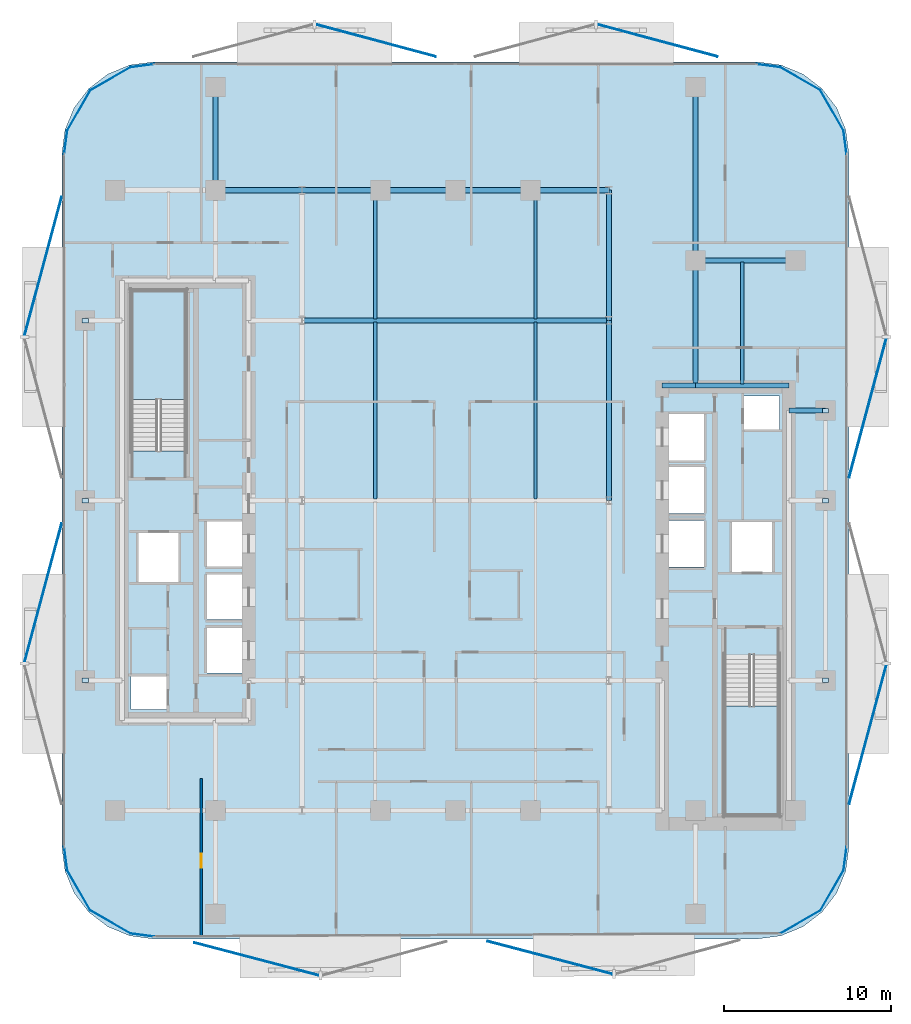
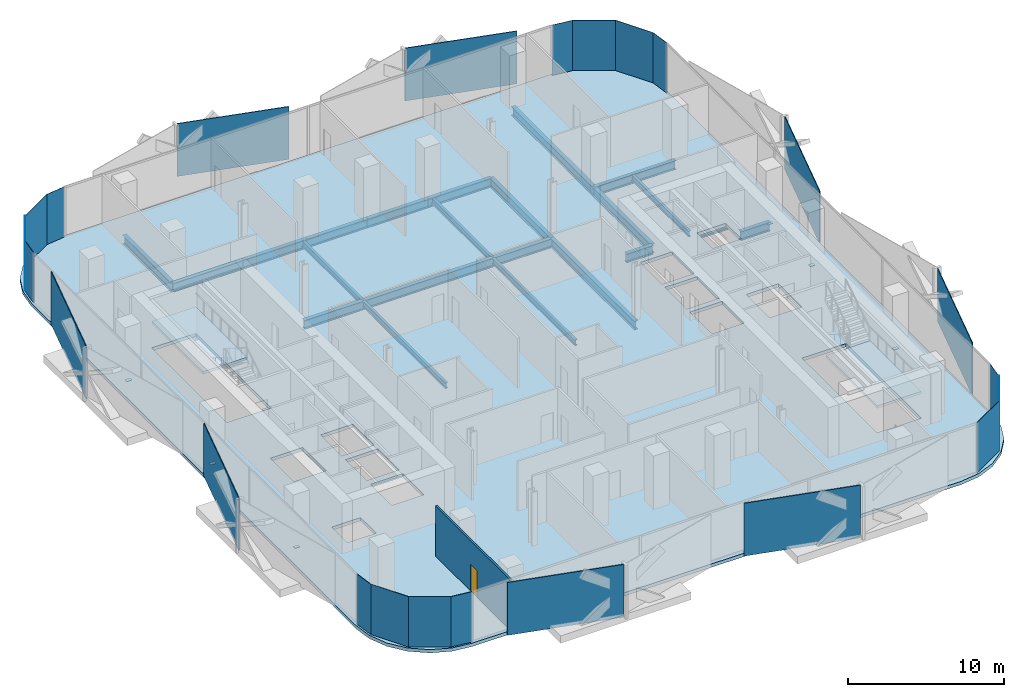
# One storey, part 2 of 15: 29 plates, 20 beams, 3 slabs, 1 door, 1 wall, 1 opening, 2 elements without a shape of their own.
"""IFC4 building model written with IfcOpenShell, lengths in metres."""

import ifcopenshell
import ifcopenshell.guid

model = None  # the IFC model being written
_history = None  # IfcOwnerHistory: only IFC2X3 demands one
_inside = {}  # id of a spatial element -> (the spatial element, [elements in it])
_under = {}  # id of a project, library or spatial element -> (it, [spatial elements below it])
_declared = {}  # id of a project -> (the project, [libraries it declares])
_typed = {}  # id of a type object -> (the type object, [elements of that type])
_made_of = {}  # id of a material, layer set ... -> (it, [elements and type objects made of it])


def new_model(schema):
    """Start an empty IFC model of exactly this schema.

    Asked for "IFC4X3", IfcOpenShell would pick the latest addendum, in which some entities
    have other attributes; the version numbers below select the first issue.
    IFC2X3 requires an IfcOwnerHistory on every rooted entity: one is made here for all.
    """
    global model, _history
    if schema == "IFC4X3":
        model = ifcopenshell.file(schema_version=(4, 3, 0, 0))
    else:
        model = ifcopenshell.file(schema=schema)
    _inside.clear()
    _under.clear()
    _declared.clear()
    _typed.clear()
    _made_of.clear()
    _history = None
    if model.schema == "IFC2X3":
        org = make("IfcOrganization", Name="unknown")
        user = make(
            "IfcPersonAndOrganization",
            ThePerson=make("IfcPerson", FamilyName="unknown"),
            TheOrganization=org,
        )
        app = make(
            "IfcApplication",
            ApplicationDeveloper=org,
            Version="unknown",
            ApplicationFullName="unknown",
            ApplicationIdentifier="unknown",
        )
        _history = make(
            "IfcOwnerHistory",
            OwningUser=user,
            OwningApplication=app,
            ChangeAction="ADDED",
            CreationDate=0,
        )
    return model


def make(cls, **values):
    """One entity of the class cls with the attributes given. An attribute that is None is left unset."""
    return model.create_entity(
        cls, **{name: value for name, value in values.items() if value is not None}
    )


def rooted(cls, **values):
    """An entity with a GlobalId (a new one), such as an element, a storey or a relation."""
    return make(cls, GlobalId=ifcopenshell.guid.new(), OwnerHistory=_history, **values)


def si_unit(unit_type, name, prefix=None):
    """IfcSIUnit, for example si_unit("LENGTHUNIT", "METRE", prefix="MILLI")."""
    return make("IfcSIUnit", UnitType=unit_type, Prefix=prefix, Name=name)


def assignment(units):
    """IfcUnitAssignment: the units of a project."""
    return None if units is None else make("IfcUnitAssignment", Units=units)


def point(xyz):
    """IfcCartesianPoint."""
    return None if xyz is None else make("IfcCartesianPoint", Coordinates=xyz)


def direction(xyz):
    """IfcDirection."""
    return None if xyz is None else make("IfcDirection", DirectionRatios=xyz)


def frame(location, z_axis=None, x_axis=None):
    """IfcAxis2Placement3D, a coordinate frame: its origin and axes. An axis left out is left unset."""
    return make(
        "IfcAxis2Placement3D",
        Location=point(location),
        Axis=direction(z_axis),
        RefDirection=direction(x_axis),
    )


def frame_2d(location, x_axis=None):
    """IfcAxis2Placement2D, a coordinate frame in the plane: its origin and x axis."""
    return make(
        "IfcAxis2Placement2D", Location=point(location), RefDirection=direction(x_axis)
    )


def origin():
    """The frame at (0, 0, 0) with its axes left unset."""
    return frame((0.0, 0.0, 0.0))


def origin_2d():
    """The frame at (0, 0) in the plane with its x axis left unset."""
    return frame_2d((0.0, 0.0))


def place(relative_to, where):
    """IfcLocalPlacement: puts the frame where relative to a parent placement (None: the world)."""
    return make(
        "IfcLocalPlacement", PlacementRelTo=relative_to, RelativePlacement=where
    )


def context(
    kind, dimensions, precision=None, world=None, true_north=None, identifier=None
):
    """IfcGeometricRepresentationContext, for example the 3D "Model" context."""
    return make(
        "IfcGeometricRepresentationContext",
        ContextIdentifier=identifier,
        ContextType=kind,
        CoordinateSpaceDimension=dimensions,
        Precision=precision,
        WorldCoordinateSystem=world,
        TrueNorth=true_north,
    )


def subcontext(parent, identifier, kind, view, scale=None):
    """IfcGeometricRepresentationSubContext, for example "Body" below "Model"."""
    return make(
        "IfcGeometricRepresentationSubContext",
        ContextIdentifier=identifier,
        ContextType=kind,
        ParentContext=parent,
        TargetScale=scale,
        TargetView=view,
    )


def project(units=None, contexts=None):
    """IfcProject with its units and contexts."""
    return rooted(
        "IfcProject",
        Name="project",
        RepresentationContexts=contexts,
        UnitsInContext=assignment(units),
    )


def spatial(cls, under=None, at=None, **own):
    """A site, building, storey or space (cls), placed at a placement, below another one or the project."""
    s = rooted(cls, ObjectPlacement=at, **own)
    if under is not None:
        _under.setdefault(under.id(), (under, []))[1].append(s)
    return s


def polyline(points):
    """IfcPolyline through the points."""
    return make("IfcPolyline", Points=[point(p) for p in points])


def profile(cls, at=None, kind="AREA", **sizes):
    """A parametric profile (cls). Its sizes go by their IFC names, for example OverallWidth=200.0."""
    return make(cls, ProfileType=kind, Position=at, **sizes)


def rectangle(**sizes):
    """IfcRectangleProfileDef."""
    return profile("IfcRectangleProfileDef", **sizes)


def i_section(**sizes):
    """IfcIShapeProfileDef."""
    return profile("IfcIShapeProfileDef", **sizes)


def outline(outer, holes=None, kind="AREA"):
    """IfcArbitraryClosedProfileDef: a profile drawn as a closed curve; with holes, ...WithVoids."""
    if holes is None:
        return make("IfcArbitraryClosedProfileDef", ProfileType=kind, OuterCurve=outer)
    return make(
        "IfcArbitraryProfileDefWithVoids",
        ProfileType=kind,
        OuterCurve=outer,
        InnerCurves=holes,
    )


def extrude(swept, where, along, depth):
    """IfcExtrudedAreaSolid: the profile swept, set in the frame where, extruded along a direction by depth."""
    return make(
        "IfcExtrudedAreaSolid",
        SweptArea=swept,
        Position=where,
        ExtrudedDirection=direction(along),
        Depth=depth,
    )


def shape(context_of_items, identifier, shape_type, items):
    """IfcShapeRepresentation: the items that make up one representation, for example the "Body"."""
    return make(
        "IfcShapeRepresentation",
        ContextOfItems=context_of_items,
        RepresentationIdentifier=identifier,
        RepresentationType=shape_type,
        Items=items,
    )


def material(Name=None, Category=None):
    """IfcMaterial."""
    return make("IfcMaterial", Name=Name, Category=Category)


def layer(
    of_material, thickness, ventilated=None, Name=None, Category=None, Priority=None
):
    """IfcMaterialLayer: one layer of a wall or slab, of a material (None: an air gap)."""
    return make(
        "IfcMaterialLayer",
        Material=of_material,
        LayerThickness=thickness,
        IsVentilated=ventilated,
        Name=Name,
        Category=Category,
        Priority=Priority,
    )


def layer_set(layers, Name=None):
    """IfcMaterialLayerSet."""
    return make("IfcMaterialLayerSet", MaterialLayers=layers, LayerSetName=Name)


def material_profile(
    of_material, cross_section, Name=None, Category=None, Priority=None
):
    """IfcMaterialProfile: a cross section and its material."""
    return make(
        "IfcMaterialProfile",
        Name=Name,
        Material=of_material,
        Profile=cross_section,
        Priority=Priority,
        Category=Category,
    )


def profile_set(profiles, Name=None, composite=None):
    """IfcMaterialProfileSet."""
    return make(
        "IfcMaterialProfileSet",
        Name=Name,
        MaterialProfiles=profiles,
        CompositeProfile=composite,
    )


def made_of(thing, what):
    """Note that an element or type object is made of a material, layer set ...; save() writes the relation."""
    if what is not None:
        _made_of.setdefault(what.id(), (what, []))[1].append(thing)
    return thing


def type_object(cls, material=None, **own):
    """A type object (cls), such as IfcWallType, which elements share."""
    return made_of(rooted(cls, **own), material)


def element(
    cls,
    number,
    at=None,
    inside=None,
    cuts=None,
    type_object=None,
    material=None,
    context=None,
    identifier="Body",
    shape_type=None,
    held_by="IfcProductDefinitionShape",
    body=None,
    shapes=None,
    **own,
):
    """One element of the class cls, such as IfcWall. Its Tag is "e" and its number.

    at: its placement. inside: the storey or other place that contains it. cuts: it is an
    opening in that element (IfcRelVoidsElement). A single representation is given by context,
    identifier, shape_type and body (its items); several are given by shapes. held_by: the class
    of the entity that holds the representations. save() writes the other relations.
    """
    e = rooted(cls, Tag="e%d" % number, ObjectPlacement=at, **own)
    if body is not None:
        shapes = [shape(context, identifier, shape_type, body)]
    if shapes is not None:
        e.Representation = make(held_by, Representations=shapes)
    if inside is not None:
        _inside.setdefault(inside.id(), (inside, []))[1].append(e)
    if cuts is not None:
        rooted(
            "IfcRelVoidsElement", RelatingBuildingElement=cuts, RelatedOpeningElement=e
        )
    if type_object is not None:
        _typed.setdefault(type_object.id(), (type_object, []))[1].append(e)
    return made_of(e, material)


def fill(opening, filler):
    """IfcRelFillsElement: the door or window that sits in an opening."""
    return rooted(
        "IfcRelFillsElement",
        RelatingOpeningElement=opening,
        RelatedBuildingElement=filler,
    )


def aggregate(whole, parts):
    """IfcRelAggregates: a whole, such as a stair, and the parts it consists of."""
    return rooted("IfcRelAggregates", RelatingObject=whole, RelatedObjects=parts)


def save(model, path):
    """Write the relations noted so far, then the file.

    IfcRelAggregates (storeys below a building ...), IfcRelContainedInSpatialStructure (elements
    in a storey), IfcRelDefinesByType, IfcRelAssociatesMaterial and IfcRelDeclares: one each for
    every whole, place, type object, material and project.
    """
    for whole, parts in _under.values():
        aggregate(whole, parts)
    for where, things in _inside.values():
        rooted(
            "IfcRelContainedInSpatialStructure",
            RelatedElements=things,
            RelatingStructure=where,
        )
    for kind, things in _typed.values():
        rooted("IfcRelDefinesByType", RelatedObjects=things, RelatingType=kind)
    for what, things in _made_of.values():
        rooted("IfcRelAssociatesMaterial", RelatedObjects=things, RelatingMaterial=what)
    for by, libraries in _declared.values():
        rooted("IfcRelDeclares", RelatingContext=by, RelatedDefinitions=libraries)
    model.write(path)


model = new_model("IFC4")

# Units and contexts
model_context = context("Model", 3, precision=1e-05, world=origin(), true_north=direction((0.0, 1.0)))
body_context = subcontext(model_context, "Body", "Model", "MODEL_VIEW")
ifc_project = project(units=[si_unit("LENGTHUNIT", "METRE"), si_unit("AREAUNIT", "SQUARE_METRE"), si_unit("VOLUMEUNIT", "CUBIC_METRE"), si_unit("PLANEANGLEUNIT", "RADIAN"), si_unit("MASSUNIT", "GRAM", prefix="KILO")], contexts=[model_context])

# Site, building, storey
site_placement = place(None, origin())
site = spatial("IfcSite", under=ifc_project, at=site_placement, CompositionType="ELEMENT")
building_placement = place(site_placement, origin())
building = spatial("IfcBuilding", under=site, at=building_placement, Name="Khairoan Windgate Tower", CompositionType="ELEMENT")
storey_placement = place(building_placement, frame((0.0, 0.0, 135.199951171875)))
storey = spatial("IfcBuildingStorey", under=building, at=storey_placement, Name="L31", CompositionType="ELEMENT", Elevation=135.199951171875)

# Beams
ifc_material_1 = material(Name="Steel S355", Category="steel")
ifc_material_profile_1 = material_profile(ifc_material_1, i_section(OverallWidth=0.300048828125, OverallDepth=0.699951171875, WebThickness=0.012939453125, FlangeThickness=0.02392578125, FilletRadius=0.02587890625, at=origin_2d()))
ifc_profile_set_1 = profile_set([ifc_material_profile_1], Name="Steel S355")
beam_type_1 = type_object("IfcBeamType", Name="Beam B-G3 H700x300x13x24", PredefinedType="BEAM", material=ifc_profile_set_1)
beam_1_placement = place(storey_placement, frame((20.0, 5.39990234375, -0.60986328125), z_axis=(1.0, 0.0, 0.0), x_axis=(0.0, 1.0, 0.0)))
element("IfcBeam", 1, at=beam_1_placement, inside=storey, type_object=beam_type_1, Name="L31 E-W Primary Girder 19", PredefinedType="BEAM", context=body_context, shape_type="SweptSolid", body=[
    extrude(i_section(OverallWidth=0.300048828125, OverallDepth=0.699951171875, WebThickness=0.012939453125, FlangeThickness=0.02392578125, FilletRadius=0.02587890625, at=origin_2d()), origin(), (0.0, 0.0, 1.0), 2.199951171875),
])
beam_2_placement = place(storey_placement, frame((12.39990234375, 6.89990234375, -0.60986328125), z_axis=(1.0, 0.0, 0.0), x_axis=(0.0, 1.0, 0.0)))
element("IfcBeam", 2, at=beam_2_placement, inside=storey, type_object=beam_type_1, Name="L31 E-W Primary Girder 20", PredefinedType="BEAM", context=body_context, shape_type="SweptSolid", body=[
    extrude(i_section(OverallWidth=0.300048828125, OverallDepth=0.699951171875, WebThickness=0.012939453125, FlangeThickness=0.02392578125, FilletRadius=0.02587890625, at=origin_2d()), origin(), (0.0, 0.0, 1.0), 2.0),
])
beam_3_placement = place(storey_placement, frame((14.39990234375, 6.89990234375, -0.60986328125), z_axis=(1.0, 0.0, 0.0), x_axis=(0.0, 1.0, 0.0)))
element("IfcBeam", 3, at=beam_3_placement, inside=storey, type_object=beam_type_1, Name="L31 E-W Primary Girder 21", PredefinedType="BEAM", context=body_context, shape_type="SweptSolid", body=[
    extrude(i_section(OverallWidth=0.300048828125, OverallDepth=0.699951171875, WebThickness=0.012939453125, FlangeThickness=0.02392578125, FilletRadius=0.02587890625, at=origin_2d()), origin(), (0.0, 0.0, 1.0), 5.60009765625),
])
beam_4_placement = place(storey_placement, frame((-9.199951171875, 10.800048828125, -0.60986328125), z_axis=(1.0, 0.0, 0.0), x_axis=(0.0, 1.0, 0.0)))
element("IfcBeam", 4, at=beam_4_placement, inside=storey, type_object=beam_type_1, Name="L31 E-W Primary Girder 24", PredefinedType="BEAM", context=body_context, shape_type="SweptSolid", body=[
    extrude(i_section(OverallWidth=0.300048828125, OverallDepth=0.699951171875, WebThickness=0.012939453125, FlangeThickness=0.02392578125, FilletRadius=0.02587890625, at=origin_2d()), origin(), (0.0, 0.0, 1.0), 18.39990234375),
])
beam_5_placement = place(storey_placement, frame((14.39990234375, 14.39990234375, -0.60986328125), z_axis=(1.0, 0.0, 0.0), x_axis=(0.0, 1.0, 0.0)))
element("IfcBeam", 5, at=beam_5_placement, inside=storey, type_object=beam_type_1, Name="L31 E-W Primary Girder 27", PredefinedType="BEAM", context=body_context, shape_type="SweptSolid", body=[
    extrude(i_section(OverallWidth=0.300048828125, OverallDepth=0.699951171875, WebThickness=0.012939453125, FlangeThickness=0.02392578125, FilletRadius=0.02587890625, at=origin_2d()), origin(), (0.0, 0.0, 1.0), 6.0),
])
beam_6_placement = place(storey_placement, frame((-14.39990234375, 18.60009765625, -0.60986328125), z_axis=(1.0, 0.0, 0.0), x_axis=(0.0, 1.0, 0.0)))
element("IfcBeam", 6, at=beam_6_placement, inside=storey, type_object=beam_type_1, Name="L31 E-W Primary Girder 29", PredefinedType="BEAM", context=body_context, shape_type="SweptSolid", body=[
    extrude(i_section(OverallWidth=0.300048828125, OverallDepth=0.699951171875, WebThickness=0.012939453125, FlangeThickness=0.02392578125, FilletRadius=0.02587890625, at=origin_2d()), origin(), (0.0, 0.0, 1.0), 5.199951171875),
])
beam_7_placement = place(storey_placement, frame((-9.199951171875, 18.60009765625, -0.60986328125), z_axis=(1.0, 0.0, 0.0), x_axis=(0.0, 1.0, 0.0)))
element("IfcBeam", 7, at=beam_7_placement, inside=storey, type_object=beam_type_1, Name="L31 E-W Primary Girder 30", PredefinedType="BEAM", context=body_context, shape_type="SweptSolid", body=[
    extrude(i_section(OverallWidth=0.300048828125, OverallDepth=0.699951171875, WebThickness=0.012939453125, FlangeThickness=0.02392578125, FilletRadius=0.02587890625, at=origin_2d()), origin(), (0.0, 0.0, 1.0), 4.699951171875),
])
for number, where, z_axis, x_axis, name in (
    (8, (-4.5, 18.60009765625, -0.60986328125), (1.0, 0.0, 0.0), (0.0, 1.0, 0.0), "L31 E-W Primary Girder 31"),
    (9, (0.0, 18.60009765625, -0.60986328125), (1.0, 0.0, 0.0), (0.0, 1.0, 0.0), "L31 E-W Primary Girder 32"),
):
    element("IfcBeam", number, at=place(storey_placement, frame(where, z_axis=z_axis, x_axis=x_axis)), inside=storey, type_object=beam_type_1, Name=name, PredefinedType="BEAM", context=body_context, shape_type="SweptSolid", body=[
        extrude(i_section(OverallWidth=0.300048828125, OverallDepth=0.699951171875, WebThickness=0.012939453125, FlangeThickness=0.02392578125, FilletRadius=0.02587890625, at=origin_2d()), origin(), (0.0, 0.0, 1.0), 4.5),
    ])
beam_8_placement = place(storey_placement, frame((4.5, 18.60009765625, -0.60986328125), z_axis=(1.0, 0.0, 0.0), x_axis=(0.0, 1.0, 0.0)))
element("IfcBeam", 10, at=beam_8_placement, inside=storey, type_object=beam_type_1, Name="L31 E-W Primary Girder 33", PredefinedType="BEAM", context=body_context, shape_type="SweptSolid", body=[
    extrude(i_section(OverallWidth=0.300048828125, OverallDepth=0.699951171875, WebThickness=0.012939453125, FlangeThickness=0.02392578125, FilletRadius=0.02587890625, at=origin_2d()), origin(), (0.0, 0.0, 1.0), 4.699951171875),
])
beam_9_placement = place(storey_placement, frame((-14.39990234375, 18.60009765625, -0.60986328125), z_axis=(0.0, 1.0, 0.0), x_axis=(-1.0, 0.0, 0.0)))
element("IfcBeam", 11, at=beam_9_placement, inside=storey, type_object=beam_type_1, Name="L31 N-S Primary Beam 43", PredefinedType="BEAM", context=body_context, shape_type="SweptSolid", body=[
    extrude(i_section(OverallWidth=0.300048828125, OverallDepth=0.699951171875, WebThickness=0.012939453125, FlangeThickness=0.02392578125, FilletRadius=0.02587890625, at=origin_2d()), origin(), (0.0, 0.0, 1.0), 6.199951171875),
])
beam_10_placement = place(storey_placement, frame((9.199951171875, 0.0, -0.60986328125), z_axis=(0.0, 1.0, 0.0), x_axis=(-1.0, 0.0, 0.0)))
element("IfcBeam", 12, at=beam_10_placement, inside=storey, type_object=beam_type_1, Name="L31 N-S Primary Beam 53", PredefinedType="BEAM", context=body_context, shape_type="SweptSolid", body=[
    extrude(i_section(OverallWidth=0.300048828125, OverallDepth=0.699951171875, WebThickness=0.012939453125, FlangeThickness=0.02392578125, FilletRadius=0.02587890625, at=origin_2d()), origin(), (0.0, 0.0, 1.0), 10.800048828125),
])
beam_11_placement = place(storey_placement, frame((9.199951171875, 10.800048828125, -0.60986328125), z_axis=(0.0, 1.0, 0.0), x_axis=(-1.0, 0.0, 0.0)))
element("IfcBeam", 13, at=beam_11_placement, inside=storey, type_object=beam_type_1, Name="L31 N-S Primary Beam 54", PredefinedType="BEAM", context=body_context, shape_type="SweptSolid", body=[
    extrude(i_section(OverallWidth=0.300048828125, OverallDepth=0.699951171875, WebThickness=0.012939453125, FlangeThickness=0.02392578125, FilletRadius=0.02587890625, at=origin_2d()), origin(), (0.0, 0.0, 1.0), 7.800048828125),
])
beam_12_placement = place(storey_placement, frame((14.39990234375, 6.89990234375, -0.60986328125), z_axis=(0.0, 1.0, 0.0), x_axis=(-1.0, 0.0, 0.0)))
element("IfcBeam", 14, at=beam_12_placement, inside=storey, type_object=beam_type_1, Name="L31 N-S Primary Beam 57", PredefinedType="BEAM", context=body_context, shape_type="SweptSolid", body=[
    extrude(i_section(OverallWidth=0.300048828125, OverallDepth=0.699951171875, WebThickness=0.012939453125, FlangeThickness=0.02392578125, FilletRadius=0.02587890625, at=origin_2d()), origin(), (0.0, 0.0, 1.0), 7.5),
])
beam_13_placement = place(storey_placement, frame((14.39990234375, 14.39990234375, -0.60986328125), z_axis=(0.0, 1.0, 0.0), x_axis=(-1.0, 0.0, 0.0)))
element("IfcBeam", 15, at=beam_13_placement, inside=storey, type_object=beam_type_1, Name="L31 N-S Primary Beam 58", PredefinedType="BEAM", context=body_context, shape_type="SweptSolid", body=[
    extrude(i_section(OverallWidth=0.300048828125, OverallDepth=0.699951171875, WebThickness=0.012939453125, FlangeThickness=0.02392578125, FilletRadius=0.02587890625, at=origin_2d()), origin(), (0.0, 0.0, 1.0), 10.400146484375),
])
ifc_material_2 = material(Name="Steel S355", Category="steel")
ifc_material_profile_2 = material_profile(ifc_material_2, i_section(OverallWidth=0.199951171875, OverallDepth=0.449951171875, WebThickness=0.009033203125, FlangeThickness=0.013916015625, FilletRadius=0.01806640625, at=origin_2d()))
ifc_profile_set_2 = profile_set([ifc_material_profile_2], Name="Steel S355")
beam_type_2 = type_object("IfcBeamType", Name="Beam J-S3 H450x200x9x14", PredefinedType="JOIST", material=ifc_profile_set_2)
beam_14_placement = place(storey_placement, frame((-4.800048828125, 0.090087890625, -0.48486328125), z_axis=(0.0, 1.0, 0.0), x_axis=(-1.0, 0.0, 0.0)))
element("IfcBeam", 16, at=beam_14_placement, inside=storey, type_object=beam_type_2, Name="L31 Secondary Floor Joist 05", PredefinedType="JOIST", context=body_context, shape_type="SweptSolid", body=[
    extrude(i_section(OverallWidth=0.199951171875, OverallDepth=0.449951171875, WebThickness=0.009033203125, FlangeThickness=0.013916015625, FilletRadius=0.01806640625, at=origin_2d()), origin(), (0.0, 0.0, 1.0), 10.619873046875),
])
beam_15_placement = place(storey_placement, frame((-4.800048828125, 10.889892578125, -0.48486328125), z_axis=(0.0, 1.0, 0.0), x_axis=(-1.0, 0.0, 0.0)))
element("IfcBeam", 17, at=beam_15_placement, inside=storey, type_object=beam_type_2, Name="L31 Secondary Floor Joist 06", PredefinedType="JOIST", context=body_context, shape_type="SweptSolid", body=[
    extrude(i_section(OverallWidth=0.199951171875, OverallDepth=0.449951171875, WebThickness=0.009033203125, FlangeThickness=0.013916015625, FilletRadius=0.01806640625, at=origin_2d()), origin(), (0.0, 0.0, 1.0), 7.6201171875),
])
beam_16_placement = place(storey_placement, frame((4.800048828125, 0.090087890625, -0.48486328125), z_axis=(0.0, 1.0, 0.0), x_axis=(-1.0, 0.0, 0.0)))
element("IfcBeam", 18, at=beam_16_placement, inside=storey, type_object=beam_type_2, Name="L31 Secondary Floor Joist 09", PredefinedType="JOIST", context=body_context, shape_type="SweptSolid", body=[
    extrude(i_section(OverallWidth=0.199951171875, OverallDepth=0.449951171875, WebThickness=0.009033203125, FlangeThickness=0.013916015625, FilletRadius=0.01806640625, at=origin_2d()), origin(), (0.0, 0.0, 1.0), 10.619873046875),
])
beam_17_placement = place(storey_placement, frame((4.800048828125, 10.889892578125, -0.48486328125), z_axis=(0.0, 1.0, 0.0), x_axis=(-1.0, 0.0, 0.0)))
element("IfcBeam", 19, at=beam_17_placement, inside=storey, type_object=beam_type_2, Name="L31 Secondary Floor Joist 10", PredefinedType="JOIST", context=body_context, shape_type="SweptSolid", body=[
    extrude(i_section(OverallWidth=0.199951171875, OverallDepth=0.449951171875, WebThickness=0.009033203125, FlangeThickness=0.013916015625, FilletRadius=0.01806640625, at=origin_2d()), origin(), (0.0, 0.0, 1.0), 7.6201171875),
])
beam_18_placement = place(storey_placement, frame((17.199951171875, 6.989990234375, -0.48486328125), z_axis=(0.0, 1.0, 0.0), x_axis=(-1.0, 0.0, 0.0)))
element("IfcBeam", 20, at=beam_18_placement, inside=storey, type_object=beam_type_2, Name="L31 Secondary Floor Joist 11", PredefinedType="JOIST", context=body_context, shape_type="SweptSolid", body=[
    extrude(i_section(OverallWidth=0.199951171875, OverallDepth=0.449951171875, WebThickness=0.009033203125, FlangeThickness=0.013916015625, FilletRadius=0.01806640625, at=origin_2d()), origin(), (0.0, 0.0, 1.0), 7.320068359375),
])

# Plates
ifc_material_3 = material(Name="Low-E Solar Control Laminated Glass", Category="glass")
ifc_layer_1 = layer(ifc_material_3, 0.030029296875, Name="Low-E Solar Control Laminated Glass")
ifc_layer_set_1 = layer_set([ifc_layer_1], Name="Low-E Solar Control Laminated Glass")
plate_type_1 = type_object("IfcPlateType", Name="Aerodynamic Wind-Corner Curved Glazing Plate", PredefinedType="USERDEFINED", material=ifc_layer_set_1)
plate_placement = place(storey_placement, frame((-18.788818359375, -26.068115234375, 0.0), z_axis=(0.0, 0.0, 1.0), x_axis=(-0.991444861374, 0.13052619222, 0.0)))
element("IfcPlate", 21, at=plate_placement, inside=storey, type_object=plate_type_1, Name="L31 Aerodynamic Wind-Corner Curved Glazing Panel 2", ObjectType="GLAZING PANEL", PredefinedType="USERDEFINED", context=body_context, shape_type="SweptSolid", body=[
    extrude(rectangle(XDim=1.4482421875, YDim=0.028076171875, at=origin_2d()), origin(), (0.0, 0.0, 1.0), 3.93994140625),
])
for number, where, z_axis, x_axis, name in (
    (22, (-20.688232421875, -25.28271484375, 0.0), (0.0, 0.0, 1.0), (-0.866025403784, 0.5, 0.0), "L31 Aerodynamic Wind-Corner Curved Glazing Panel 3"),
    (23, (-22.582763671875, -23.38818359375, 0.0), (0.0, 0.0, 1.0), (-0.5, 0.866025403784, 0.0), "L31 Aerodynamic Wind-Corner Curved Glazing Panel 4"),
):
    element("IfcPlate", number, at=place(storey_placement, frame(where, z_axis=z_axis, x_axis=x_axis)), inside=storey, type_object=plate_type_1, Name=name, ObjectType="GLAZING PANEL", PredefinedType="USERDEFINED", context=body_context, shape_type="SweptSolid", body=[
        extrude(rectangle(XDim=2.81396484375, YDim=0.028076171875, at=origin_2d()), origin(), (0.0, 0.0, 1.0), 3.93994140625),
    ])
for number, where, z_axis, x_axis, name in (
    (24, (-23.3681640625, -21.489013671875, 0.0), (0.0, 0.0, 1.0), (-0.13052619222, 0.991444861374, 0.0), "L31 Aerodynamic Wind-Corner Curved Glazing Panel 5"),
    (25, (-23.3681640625, 21.489013671875, 0.0), (0.0, 0.0, 1.0), (0.13052619222, 0.991444861374, 0.0), "L31 Aerodynamic Wind-Corner Curved Glazing Panel 7"),
):
    element("IfcPlate", number, at=place(storey_placement, frame(where, z_axis=z_axis, x_axis=x_axis)), inside=storey, type_object=plate_type_1, Name=name, ObjectType="GLAZING PANEL", PredefinedType="USERDEFINED", context=body_context, shape_type="SweptSolid", body=[
        extrude(rectangle(XDim=1.4482421875, YDim=0.028076171875, at=origin_2d()), origin(), (0.0, 0.0, 1.0), 3.93994140625),
    ])
for number, where, z_axis, x_axis, name in (
    (26, (-22.582763671875, 23.38818359375, 0.0), (0.0, 0.0, 1.0), (0.5, 0.866025403784, 0.0), "L31 Aerodynamic Wind-Corner Curved Glazing Panel 8"),
    (27, (-20.688232421875, 25.28271484375, 0.0), (0.0, 0.0, 1.0), (0.866025403784, 0.5, 0.0), "L31 Aerodynamic Wind-Corner Curved Glazing Panel 9"),
):
    element("IfcPlate", number, at=place(storey_placement, frame(where, z_axis=z_axis, x_axis=x_axis)), inside=storey, type_object=plate_type_1, Name=name, ObjectType="GLAZING PANEL", PredefinedType="USERDEFINED", context=body_context, shape_type="SweptSolid", body=[
        extrude(rectangle(XDim=2.81396484375, YDim=0.028076171875, at=origin_2d()), origin(), (0.0, 0.0, 1.0), 3.93994140625),
    ])
for number, where, z_axis, x_axis, name in (
    (28, (-18.788818359375, 26.068115234375, 0.0), (0.0, 0.0, 1.0), (0.991444861374, 0.13052619222, 0.0), "L31 Aerodynamic Wind-Corner Curved Glazing Panel 10"),
    (29, (18.788818359375, 26.068115234375, 0.0), (0.0, 0.0, 1.0), (0.991444861374, -0.13052619222, 0.0), "L31 Aerodynamic Wind-Corner Curved Glazing Panel 12"),
):
    element("IfcPlate", number, at=place(storey_placement, frame(where, z_axis=z_axis, x_axis=x_axis)), inside=storey, type_object=plate_type_1, Name=name, ObjectType="GLAZING PANEL", PredefinedType="USERDEFINED", context=body_context, shape_type="SweptSolid", body=[
        extrude(rectangle(XDim=1.4482421875, YDim=0.028076171875, at=origin_2d()), origin(), (0.0, 0.0, 1.0), 3.93994140625),
    ])
for number, where, z_axis, x_axis, name in (
    (30, (20.688232421875, 25.28271484375, 0.0), (0.0, 0.0, 1.0), (0.866025403784, -0.5, 0.0), "L31 Aerodynamic Wind-Corner Curved Glazing Panel 13"),
    (31, (22.582763671875, 23.38818359375, 0.0), (0.0, 0.0, 1.0), (0.5, -0.866025403784, 0.0), "L31 Aerodynamic Wind-Corner Curved Glazing Panel 14"),
):
    element("IfcPlate", number, at=place(storey_placement, frame(where, z_axis=z_axis, x_axis=x_axis)), inside=storey, type_object=plate_type_1, Name=name, ObjectType="GLAZING PANEL", PredefinedType="USERDEFINED", context=body_context, shape_type="SweptSolid", body=[
        extrude(rectangle(XDim=2.81396484375, YDim=0.028076171875, at=origin_2d()), origin(), (0.0, 0.0, 1.0), 3.93994140625),
    ])
for number, where, z_axis, x_axis, name in (
    (32, (23.3681640625, 21.489013671875, 0.0), (0.0, 0.0, 1.0), (0.13052619222, -0.991444861374, 0.0), "L31 Aerodynamic Wind-Corner Curved Glazing Panel 15"),
    (33, (23.3681640625, -21.489013671875, 0.0), (0.0, 0.0, 1.0), (-0.13052619222, -0.991444861374, 0.0), "L31 Aerodynamic Wind-Corner Curved Glazing Panel 17"),
):
    element("IfcPlate", number, at=place(storey_placement, frame(where, z_axis=z_axis, x_axis=x_axis)), inside=storey, type_object=plate_type_1, Name=name, ObjectType="GLAZING PANEL", PredefinedType="USERDEFINED", context=body_context, shape_type="SweptSolid", body=[
        extrude(rectangle(XDim=1.4482421875, YDim=0.028076171875, at=origin_2d()), origin(), (0.0, 0.0, 1.0), 3.93994140625),
    ])
for number, where, z_axis, x_axis, name in (
    (34, (22.582763671875, -23.38818359375, 0.0), (0.0, 0.0, 1.0), (-0.5, -0.866025403784, 0.0), "L31 Aerodynamic Wind-Corner Curved Glazing Panel 18"),
    (35, (20.688232421875, -25.28271484375, 0.0), (0.0, 0.0, 1.0), (-0.866025403784, -0.5, 0.0), "L31 Aerodynamic Wind-Corner Curved Glazing Panel 19"),
):
    element("IfcPlate", number, at=place(storey_placement, frame(where, z_axis=z_axis, x_axis=x_axis)), inside=storey, type_object=plate_type_1, Name=name, ObjectType="GLAZING PANEL", PredefinedType="USERDEFINED", context=body_context, shape_type="SweptSolid", body=[
        extrude(rectangle(XDim=2.81396484375, YDim=0.028076171875, at=origin_2d()), origin(), (0.0, 0.0, 1.0), 3.93994140625),
    ])
ifc_material_4 = material(Name="Steel S355", Category="steel")
ifc_layer_2 = layer(ifc_material_4, 0.0400390625, Name="Steel S355")
ifc_layer_set_2 = layer_set([ifc_layer_2], Name="Steel S355")
plate_type_2 = type_object("IfcPlateType", Name="Hollow Section End-Cap Plate PL-CAP40", PredefinedType="SHEET", material=ifc_layer_set_2)
for number, where, z_axis, x_axis, name in (
    (36, (-22.199951171875, -10.784912109375, -0.455078125), (0.0, 0.0, 1.0), (0.0, 1.0, 0.0), "BM-SP-L31-034 steel end-cap plate 1"),
    (37, (-22.199951171875, -0.014892578125, -0.455078125), (0.0, 0.0, 1.0), (0.0, 1.0, 0.0), "BM-SP-L31-034 steel end-cap plate 2"),
    (38, (-22.199951171875, 10.784912109375, -0.455078125), (0.0, 0.0, 1.0), (0.0, 1.0, 0.0), "BM-SP-L31-035 steel end-cap plate 2"),
    (39, (22.199951171875, -10.784912109375, -0.455078125), (0.0, 0.0, 1.0), (0.0, 1.0, 0.0), "BM-SP-L31-062 steel end-cap plate 1"),
    (40, (22.199951171875, -0.014892578125, -0.455078125), (0.0, 0.0, 1.0), (0.0, 1.0, 0.0), "BM-SP-L31-062 steel end-cap plate 2"),
    (41, (22.199951171875, 5.385009765625, -0.455078125), (0.0, 0.0, 1.0), (0.0, 1.0, 0.0), "BM-SP-L31-063 steel end-cap plate 2"),
):
    element("IfcPlate", number, at=place(storey_placement, frame(where, z_axis=z_axis, x_axis=x_axis)), inside=storey, type_object=plate_type_2, Name=name, PredefinedType="SHEET", context=body_context, shape_type="SweptSolid", body=[
        extrude(rectangle(XDim=0.27001953125, YDim=0.3701171875, at=origin_2d()), origin(), (0.0, 0.0, 1.0), 0.0400390625),
    ])
ifc_material_5 = material(Name="Anodised Bronze Aluminium 6063-T6", Category="aluminium")
ifc_layer_3 = layer(ifc_material_5, 0.054931640625, Name="Anodised Bronze Aluminium 6063-T6")
ifc_layer_set_3 = layer_set([ifc_layer_3], Name="Anodised Bronze Aluminium 6063-T6")
plate_type_3 = type_object("IfcPlateType", Name="Perforated Bronze Solar Screen Panel BSP-1", PredefinedType="USERDEFINED", material=ifc_layer_set_3)
for number, where, z_axis, x_axis, name in (
    (42, (5.671630859375, -27.42236328125, -0.10009765625), (0.0, 0.0, 1.0), (-0.967179115616, 0.254095569259, 0.0), "L31 Perforated Bronze Solar Screen Panel 193R"),
    (43, (-11.917236328125, -27.50830078125, -0.10009765625), (0.0, 0.0, 1.0), (-0.967179115616, 0.254095569259, 0.0), "L31 Perforated Bronze Solar Screen Panel 194R"),
):
    element("IfcPlate", number, at=place(storey_placement, frame(where, z_axis=z_axis, x_axis=x_axis)), inside=storey, type_object=plate_type_3, Name=name, ObjectType="SCREEN", PredefinedType="USERDEFINED", context=body_context, shape_type="SweptSolid", body=[
        extrude(rectangle(XDim=7.739013671875, YDim=0.054931640625, at=origin_2d()), origin(), (0.0, 0.0, 1.0), 4.139892578125),
    ])
for number, where, z_axis, x_axis, name in (
    (44, (-24.724609375, -5.542236328125, -0.10009765625), (0.0, 0.0, 1.0), (0.258819045103, 0.965925826289, 0.0), "L31 Perforated Bronze Solar Screen Panel 195R"),
    (45, (-24.724609375, 14.048583984375, -0.10009765625), (0.0, 0.0, 1.0), (0.258819045103, 0.965925826289, 0.0), "L31 Perforated Bronze Solar Screen Panel 196R"),
):
    element("IfcPlate", number, at=place(storey_placement, frame(where, z_axis=z_axis, x_axis=x_axis)), inside=storey, type_object=plate_type_3, Name=name, ObjectType="SCREEN", PredefinedType="USERDEFINED", context=body_context, shape_type="SweptSolid", body=[
        extrude(rectangle(XDim=8.6201171875, YDim=0.054931640625, at=origin_2d()), origin(), (0.0, 0.0, 1.0), 4.139892578125),
    ])
for number, where, z_axis, x_axis, name in (
    (46, (-4.76611328125, 27.578125, -0.10009765625), (0.0, 0.0, 1.0), (0.965925826289, -0.258819045103, 0.0), "L31 Perforated Bronze Solar Screen Panel 197R"),
    (47, (12.124755859375, 27.578125, -0.10009765625), (0.0, 0.0, 1.0), (0.965925826289, -0.258819045103, 0.0), "L31 Perforated Bronze Solar Screen Panel 198R"),
):
    element("IfcPlate", number, at=place(storey_placement, frame(where, z_axis=z_axis, x_axis=x_axis)), inside=storey, type_object=plate_type_3, Name=name, ObjectType="SCREEN", PredefinedType="USERDEFINED", context=body_context, shape_type="SweptSolid", body=[
        extrude(rectangle(XDim=7.431884765625, YDim=0.054931640625, at=origin_2d()), origin(), (0.0, 0.0, 1.0), 4.139892578125),
    ])
for number, where, z_axis, x_axis, name in (
    (48, (24.724609375, 5.542236328125, -0.10009765625), (0.0, 0.0, 1.0), (-0.258819045103, -0.965925826289, 0.0), "L31 Perforated Bronze Solar Screen Panel 199R"),
    (49, (24.724609375, -14.048583984375, -0.10009765625), (0.0, 0.0, 1.0), (-0.258819045103, -0.965925826289, 0.0), "L31 Perforated Bronze Solar Screen Panel 200R"),
):
    element("IfcPlate", number, at=place(storey_placement, frame(where, z_axis=z_axis, x_axis=x_axis)), inside=storey, type_object=plate_type_3, Name=name, ObjectType="SCREEN", PredefinedType="USERDEFINED", context=body_context, shape_type="SweptSolid", body=[
        extrude(rectangle(XDim=8.6201171875, YDim=0.054931640625, at=origin_2d()), origin(), (0.0, 0.0, 1.0), 4.139892578125),
    ])

# Stair, slab
ifc_material_6 = material(Name="Concrete C40/50", Category="concrete")
stair_type = type_object("IfcStairType", Name="Tower Core Dog-Leg Stair ST-T1 1560mm", PredefinedType="HALF_TURN_STAIR", material=ifc_material_6)
stair_1_placement = place(storey_placement, origin())
stair_1 = element("IfcStair", 50, at=stair_1_placement, inside=storey, type_object=stair_type, Name="L31 Stair ST1", PredefinedType="HALF_TURN_STAIR")
ifc_material_7 = material(Name="Concrete C40/50", Category="concrete")
ifc_layer_4 = layer(ifc_material_7, 0.199951171875, Name="Concrete C40/50")
ifc_layer_set_4 = layer_set([ifc_layer_4], Name="Concrete C40/50")
slab_type_1 = type_object("IfcSlabType", Name="Reinforced Concrete Stair Landing Slab STL-200", PredefinedType="LANDING", material=ifc_layer_set_4)
slab_1_placement = place(storey_placement, frame((0.0, 0.0, 1.900146484375)))
slab_1 = element("IfcSlab", 51, at=slab_1_placement, type_object=slab_type_1, Name="ST1 landing 1", PredefinedType="LANDING", context=body_context, shape_type="SweptSolid", body=[
    extrude(outline(polyline([(16.14990234375, -12.340087890625), (16.14990234375, -18.89990234375), (19.419921875, -18.89990234375), (19.419921875, -12.340087890625), (16.14990234375, -12.340087890625)])), origin(), (0.0, 0.0, 1.0), 0.199951171875),
])
aggregate(stair_1, [slab_1])

stair_2_placement = place(storey_placement, origin())
stair_2 = element("IfcStair", 52, at=stair_2_placement, inside=storey, type_object=stair_type, Name="L31 Stair ST2", PredefinedType="HALF_TURN_STAIR")
slab_2_placement = place(storey_placement, frame((0.0, 0.0, 1.900146484375)))
slab_2 = element("IfcSlab", 53, at=slab_2_placement, type_object=slab_type_1, Name="ST2 landing 1", PredefinedType="LANDING", context=body_context, shape_type="SweptSolid", body=[
    extrude(outline(polyline([(-16.14990234375, 6.0400390625), (-16.14990234375, 12.60009765625), (-19.419921875, 12.60009765625), (-19.419921875, 6.0400390625), (-16.14990234375, 6.0400390625)])), origin(), (0.0, 0.0, 1.0), 0.199951171875),
])
aggregate(stair_2, [slab_2])

# Slab
ifc_material_8 = material(Name="Concrete C40/50", Category="concrete")
ifc_layer_5 = layer(ifc_material_8, 0.260009765625, Name="Concrete C40/50")
ifc_layer_set_5 = layer_set([ifc_layer_5], Name="Concrete C40/50")
slab_type_2 = type_object("IfcSlabType", Name="Tower Composite Floor Slab FS2 260mm", PredefinedType="FLOOR", material=ifc_layer_set_5)
slab_3_placement = place(storey_placement, frame((0.0, 0.0, -0.260009765625)))
element("IfcSlab", 54, at=slab_3_placement, inside=storey, type_object=slab_type_2, Name="L31 Structural Floor Slab", PredefinedType="FLOOR", context=body_context, shape_type="SweptSolid", body=[
    extrude(outline(polyline([(18.10009765625, -26.300048828125), (19.5234375, -26.112548828125), (20.85009765625, -25.56298828125), (21.989013671875, -24.689208984375), (22.863037109375, -23.550048828125), (23.41259765625, -22.223388671875), (23.60009765625, -20.800048828125), (23.60009765625, 20.800048828125), (23.41259765625, 22.223388671875), (22.863037109375, 23.550048828125), (21.989013671875, 24.689208984375), (20.85009765625, 25.56298828125), (19.5234375, 26.112548828125), (18.10009765625, 26.300048828125), (-18.10009765625, 26.300048828125), (-19.5234375, 26.112548828125), (-20.85009765625, 25.56298828125), (-21.989013671875, 24.689208984375), (-22.863037109375, 23.550048828125), (-23.41259765625, 22.223388671875), (-23.60009765625, 20.800048828125), (-23.60009765625, -20.800048828125), (-23.41259765625, -22.223388671875), (-22.863037109375, -23.550048828125), (-21.989013671875, -24.689208984375), (-20.85009765625, -25.56298828125), (-19.5234375, -26.112548828125), (-18.10009765625, -26.300048828125), (18.10009765625, -26.300048828125)]), holes=[polyline([(16.14990234375, -9.260009765625), (16.14990234375, -18.89990234375), (19.419921875, -18.89990234375), (19.419921875, -9.260009765625), (16.14990234375, -9.260009765625)]), polyline([(-16.14990234375, 2.9599609375), (-16.14990234375, 12.60009765625), (-19.419921875, 12.60009765625), (-19.419921875, 2.9599609375), (-16.14990234375, 2.9599609375)]), polyline([(-14.89990234375, -3.949951171875), (-12.5, -3.949951171875), (-12.5, -1.25), (-14.89990234375, -1.25), (-14.89990234375, -3.949951171875)]), polyline([(-14.89990234375, -7.14990234375), (-12.5, -7.14990234375), (-12.5, -4.449951171875), (-14.89990234375, -4.449951171875), (-14.89990234375, -7.14990234375)]), polyline([(-14.89990234375, -10.35009765625), (-12.5, -10.35009765625), (-12.5, -7.64990234375), (-14.89990234375, -7.64990234375), (-14.89990234375, -10.35009765625)]), polyline([(12.5, 2.39990234375), (14.89990234375, 2.39990234375), (14.89990234375, 5.199951171875), (12.5, 5.199951171875), (12.5, 2.39990234375)]), polyline([(12.5, -0.800048828125), (14.89990234375, -0.800048828125), (14.89990234375, 2.0), (12.5, 2.0), (12.5, -0.800048828125)]), polyline([(12.5, -4.0), (14.89990234375, -4.0), (14.89990234375, -1.199951171875), (12.5, -1.199951171875), (12.5, -4.0)]), polyline([(16.60009765625, -4.300048828125), (19.0, -4.300048828125), (19.0, -1.300048828125), (16.60009765625, -1.300048828125), (16.60009765625, -4.300048828125)]), polyline([(-19.0, -4.89990234375), (-16.60009765625, -4.89990234375), (-16.60009765625, -1.89990234375), (-19.0, -1.89990234375), (-19.0, -4.89990234375)]), polyline([(-19.449951171875, -12.550048828125), (-17.31005859375, -12.550048828125), (-17.31005859375, -10.550048828125), (-19.449951171875, -10.550048828125), (-19.449951171875, -12.550048828125)]), polyline([(17.31005859375, 4.25), (19.449951171875, 4.25), (19.449951171875, 6.25), (17.31005859375, 6.25), (17.31005859375, 4.25)])]), origin(), (0.0, 0.0, 1.0), 0.260009765625),
])

# Wall, opening, door
ifc_material_9 = material(Name="Acoustic Fire-Rated Gypsum Partition", Category="gypsum")
ifc_layer_6 = layer(ifc_material_9, 0.139892578125, Name="Acoustic Fire-Rated Gypsum Partition")
ifc_layer_set_6 = layer_set([ifc_layer_6], Name="Acoustic Fire-Rated Gypsum Partition")
wall_type = type_object("IfcWallType", Name="Inter-Tenancy Compartment Wall", PredefinedType="PARTITIONING", material=ifc_layer_set_6)
wall_placement = place(storey_placement, frame((-15.23193359375, -26.14111328125, 0.0), z_axis=(0.0, 0.0, 1.0), x_axis=(0.0, 1.0, 0.0)))
wall = element("IfcWall", 55, at=wall_placement, inside=storey, type_object=wall_type, Name="L31 Interior Partition 046", PredefinedType="PARTITIONING", context=body_context, shape_type="SweptSolid", body=[
    extrude(rectangle(XDim=9.461181640625, YDim=0.139892578125, at=frame_2d((4.73046875, 0.0))), origin(), (0.0, 0.0, 1.0), 3.93994140625),
])
opening_placement = place(wall_placement, frame((4.10302734375, 0.0, 0.0)))
opening = element("IfcOpeningElement", 56, at=opening_placement, cuts=wall, Name="Opening FD-SRV", PredefinedType="OPENING", context=body_context, shape_type="SweptSolid", body=[
    extrude(rectangle(XDim=0.85009765625, YDim=2.10009765625, at=frame_2d((0.425048828125, 1.050048828125))), frame((0.0, 0.079833984375, 0.0), z_axis=(0.0, -1.0, 0.0), x_axis=(1.0, 0.0, 0.0)), (0.0, 0.0, 1.0), 0.159912109375),
])
ifc_material_10 = material(Name="Steel S355", Category="steel")
door_type = type_object("IfcDoorType", Name="Core Service and Riser Fire Door FD-SRV 850x2100", OperationType="NOTDEFINED", PredefinedType="DOOR", material=ifc_material_10)
door_placement = place(opening_placement, origin())
door = element("IfcDoor", 57, at=door_placement, inside=storey, type_object=door_type, Name="L31 L31-45-L31-46 Door", OperationType="SINGLE_SWING_RIGHT", OverallHeight=2.10009765625, OverallWidth=0.85009765625, PredefinedType="DOOR", context=body_context, shape_type="SweptSolid", body=[
    extrude(rectangle(XDim=0.85009765625, YDim=2.10009765625, at=frame_2d((0.425048828125, 1.050048828125))), frame((0.0, 0.02490234375, 0.0), z_axis=(0.0, -1.0, 0.0), x_axis=(1.0, 0.0, 0.0)), (0.0, 0.0, 1.0), 0.050048828125),
])
fill(opening, door)

save(model, "model.ifc")
